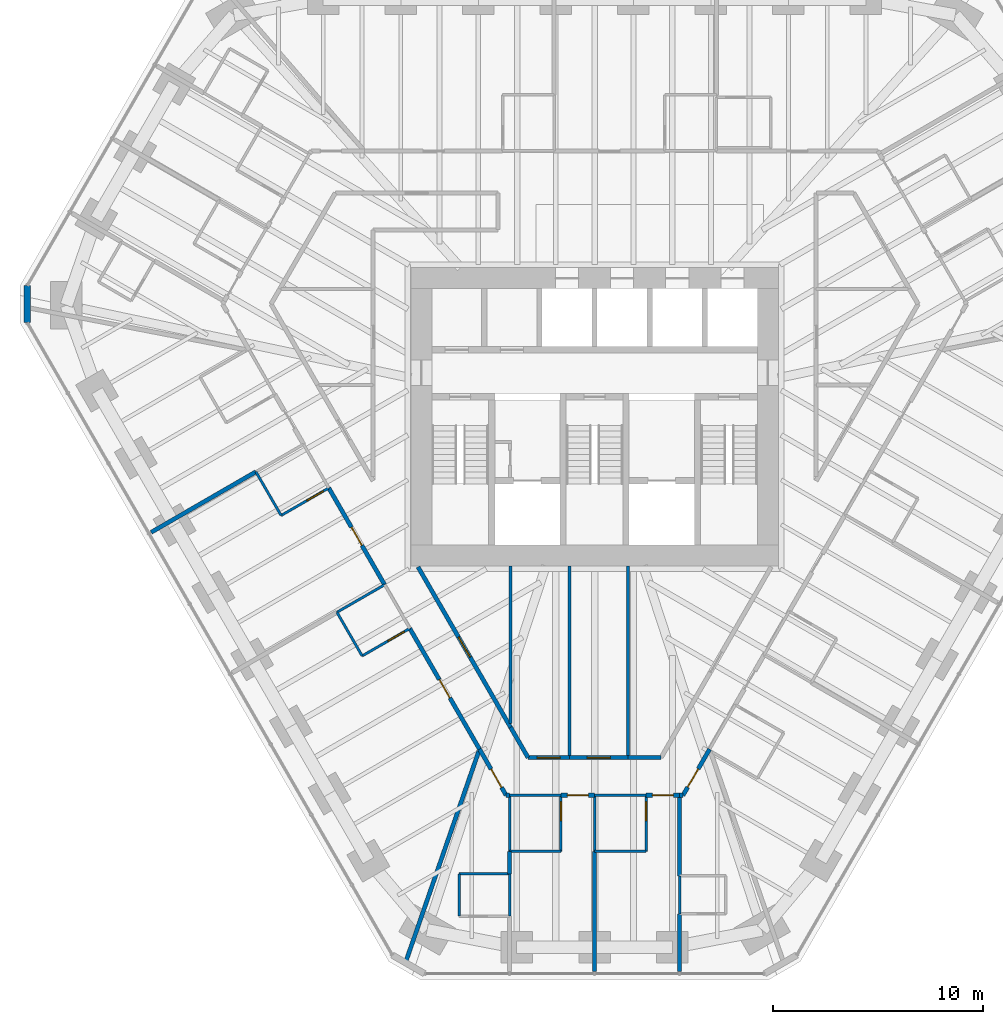
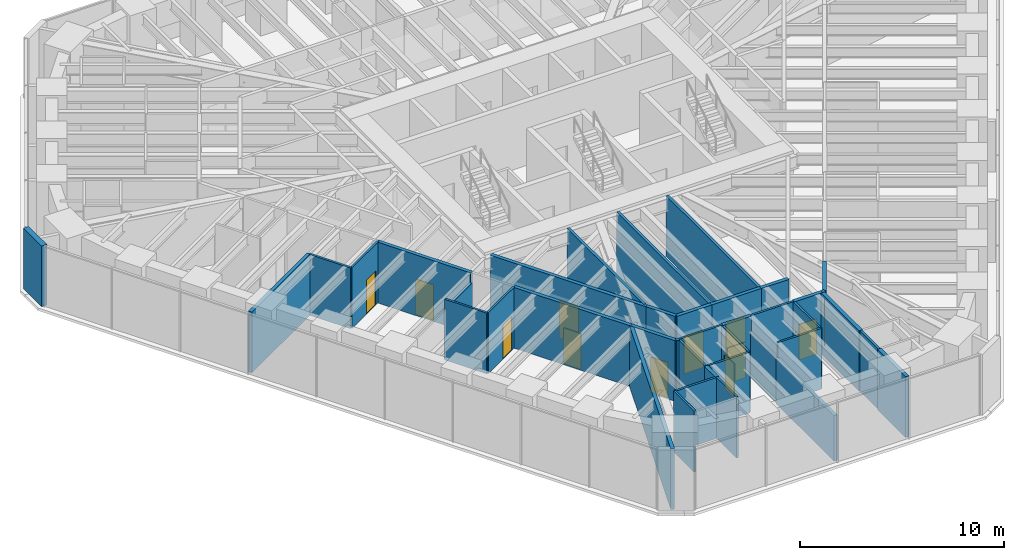
# One storey, part 11 of 17: 40 walls, 13 doors, 13 openings.
"""IFC4 building model written with IfcOpenShell, lengths in metres."""

from ifc_helpers import new_model, si_unit, direction, frame, frame_2d, origin, place, context, subcontext, project, spatial, rectangle, extrude, material, layer, layer_set, type_object, element, fill, save


model = new_model("IFC4")

# Units and contexts
model_context = context("Model", 3, precision=1e-05, world=origin(), true_north=direction((0.0, 1.0)))
body_context = subcontext(model_context, "Body", "Model", "MODEL_VIEW")
ifc_project = project(units=[si_unit("LENGTHUNIT", "METRE"), si_unit("AREAUNIT", "SQUARE_METRE"), si_unit("VOLUMEUNIT", "CUBIC_METRE"), si_unit("PLANEANGLEUNIT", "RADIAN"), si_unit("MASSUNIT", "GRAM", prefix="KILO")], contexts=[model_context])

# Site, building, storey
site_placement = place(None, origin())
site = spatial("IfcSite", under=ifc_project, at=site_placement, CompositionType="ELEMENT")
building_placement = place(site_placement, origin())
building = spatial("IfcBuilding", under=site, at=building_placement, Name="Sandreach Pilgrim Tower", CompositionType="ELEMENT")
storey_placement = place(building_placement, frame((0.0, 0.0, 194.60009765625)))
storey = spatial("IfcBuildingStorey", under=building, at=storey_placement, Name="L48", CompositionType="ELEMENT", Elevation=194.60009765625)

# Walls
ifc_material_1 = material(Name="Gypsum board on steel studs", Category="steel")
ifc_layer_1 = layer(ifc_material_1, 0.14990234375)
ifc_layer_set_1 = layer_set([ifc_layer_1], Name="Back of house wall 150")
wall_type_1 = type_object("IfcWallType", Name="Back of house wall 150", PredefinedType="PARTITIONING", material=ifc_layer_set_1)
wall_1_placement = place(storey_placement, frame((-4.0, -7.10009765625, 0.0), z_axis=(0.0, 0.0, 1.0), x_axis=(0.0, -1.0, 0.0)))
element("IfcWall", 1, at=wall_1_placement, inside=storey, type_object=wall_type_1, Name="Back of house wall L48-074", PredefinedType="PARTITIONING", context=body_context, shape_type="SweptSolid", body=[
    extrude(rectangle(XDim=7.514892578125, YDim=0.14990234375, at=frame_2d((3.75732421875, 0.0))), origin(), (0.0, 0.0, 1.0), 3.639892578125),
])
for number, where, z_axis, x_axis, name in (
    (2, (-1.199951171875, -7.10009765625, 0.0), (0.0, 0.0, 1.0), (0.0, -1.0, 0.0), "Back of house wall L48-083"),
    (3, (1.60009765625, -7.10009765625, 0.0), (0.0, 0.0, 1.0), (0.0, -1.0, 0.0), "Back of house wall L48-089"),
):
    element("IfcWall", number, at=place(storey_placement, frame(where, z_axis=z_axis, x_axis=x_axis)), inside=storey, type_object=wall_type_1, Name=name, PredefinedType="PARTITIONING", context=body_context, shape_type="SweptSolid", body=[
        extrude(rectangle(XDim=9.1298828125, YDim=0.14990234375, at=frame_2d((4.56494140625, 0.0))), origin(), (0.0, 0.0, 1.0), 3.639892578125),
    ])
ifc_material_2 = material(Name="Moisture-resistant gypsum board on steel studs", Category="steel")
ifc_layer_2 = layer(ifc_material_2, 0.1201171875)
ifc_layer_set_2 = layer_set([ifc_layer_2], Name="Bathroom partition 120")
wall_type_2 = type_object("IfcWallType", Name="Bathroom partition 120", PredefinedType="PARTITIONING", material=ifc_layer_set_2)
wall_2_placement = place(storey_placement, frame((-16.1298828125, -2.6201171875, 0.0), z_axis=(0.0, 0.0, 1.0), x_axis=(0.499737123639, -0.866177122335, 0.0)))
element("IfcWall", 4, at=wall_2_placement, inside=storey, type_object=wall_type_2, Name="Bathroom partition L48-028", PredefinedType="PARTITIONING", context=body_context, shape_type="SweptSolid", body=[
    extrude(rectangle(XDim=2.401123046875, YDim=0.1201171875, at=frame_2d((1.20068359375, 0.0))), origin(), (0.0, 0.0, 1.0), 3.639892578125),
])

# Wall, opening, door
wall_3_placement = place(storey_placement, frame((-14.929931640625, -4.699951171875, 0.0), z_axis=(0.0, 0.0, 1.0), x_axis=(0.866114241029, 0.499846097802, 0.0)))
wall_3 = element("IfcWall", 5, at=wall_3_placement, inside=storey, type_object=wall_type_2, Name="Bathroom partition L48-038", PredefinedType="PARTITIONING", context=body_context, shape_type="SweptSolid", body=[
    extrude(rectangle(XDim=2.620849609375, YDim=0.1201171875, at=frame_2d((1.310546875, 0.0))), origin(), (0.0, 0.0, 1.0), 3.639892578125),
])
opening_1_placement = place(wall_3_placement, frame((1.4208984375, 0.0, 0.0)))
opening_1 = element("IfcOpeningElement", 6, at=opening_1_placement, cuts=wall_3, Name="Opening D09-15B", PredefinedType="OPENING", context=body_context, shape_type="SweptSolid", body=[
    extrude(rectangle(XDim=0.89990234375, YDim=2.030029296875, at=frame_2d((0.449951171875, 1.01513671875))), frame((0.0, 0.06005859375, 0.0), z_axis=(0.0, -1.0, 0.0), x_axis=(1.0, 0.0, 0.0)), (0.0, 0.0, 1.0), 0.1201171875),
])
ifc_material_3 = material(Name="Timber door, steel frame", Category="steel")
door_type_1 = type_object("IfcDoorType", Name="Bathroom door", OperationType="SINGLE_SWING_LEFT", PredefinedType="DOOR", material=ifc_material_3)
door_1_placement = place(opening_1_placement, origin())
door_1 = element("IfcDoor", 7, at=door_1_placement, inside=storey, type_object=door_type_1, Name="Door 4815B", OperationType="SINGLE_SWING_RIGHT", OverallHeight=2.030029296875, OverallWidth=0.89990234375, PredefinedType="DOOR", context=body_context, shape_type="SweptSolid", body=[
    extrude(rectangle(XDim=0.89990234375, YDim=2.030029296875, at=frame_2d((0.449951171875, 1.01513671875))), frame((0.0, 0.02490234375, 0.0), z_axis=(0.0, -1.0, 0.0), x_axis=(1.0, 0.0, 0.0)), (0.0, 0.0, 1.0), 0.050048828125),
])
fill(opening_1, door_1)

# Walls
wall_4_placement = place(storey_placement, frame((-12.27001953125, -9.31005859375, 0.0), z_axis=(0.0, 0.0, 1.0), x_axis=(0.499737123639, -0.866177122335, 0.0)))
element("IfcWall", 8, at=wall_4_placement, inside=storey, type_object=wall_type_2, Name="Bathroom partition L48-045", PredefinedType="PARTITIONING", context=body_context, shape_type="SweptSolid", body=[
    extrude(rectangle(XDim=2.401123046875, YDim=0.1201171875, at=frame_2d((1.20068359375, 0.0))), origin(), (0.0, 0.0, 1.0), 3.639892578125),
])
wall_5_placement = place(storey_placement, frame((-12.27001953125, -9.31005859375, 0.0), z_axis=(0.0, 0.0, 1.0), x_axis=(0.866114241029, 0.499846097802, 0.0)))
element("IfcWall", 9, at=wall_5_placement, inside=storey, type_object=wall_type_2, Name="Bathroom partition L48-046", PredefinedType="PARTITIONING", context=body_context, shape_type="SweptSolid", body=[
    extrude(rectangle(XDim=2.620849609375, YDim=0.1201171875, at=frame_2d((1.310546875, 0.0))), origin(), (0.0, 0.0, 1.0), 3.037841796875),
])

# Wall, opening, door
wall_6_placement = place(storey_placement, frame((-11.070068359375, -11.389892578125, 0.0), z_axis=(0.0, 0.0, 1.0), x_axis=(0.866154567199, 0.49977621564, 0.0)))
wall_6 = element("IfcWall", 10, at=wall_6_placement, inside=storey, type_object=wall_type_2, Name="Bathroom partition L48-047", PredefinedType="PARTITIONING", context=body_context, shape_type="SweptSolid", body=[
    extrude(rectangle(XDim=2.620849609375, YDim=0.1201171875, at=frame_2d((1.310546875, 0.0))), origin(), (0.0, 0.0, 1.0), 3.639892578125),
])
opening_2_placement = place(wall_6_placement, frame((1.4208984375, 0.0, 0.0)))
opening_2 = element("IfcOpeningElement", 11, at=opening_2_placement, cuts=wall_6, Name="Opening D09-14B", PredefinedType="OPENING", context=body_context, shape_type="SweptSolid", body=[
    extrude(rectangle(XDim=0.89990234375, YDim=2.030029296875, at=frame_2d((0.449951171875, 1.01513671875))), frame((0.0, 0.06005859375, 0.0), z_axis=(0.0, -1.0, 0.0), x_axis=(1.0, 0.0, 0.0)), (0.0, 0.0, 1.0), 0.1201171875),
])
door_2_placement = place(opening_2_placement, origin())
door_2 = element("IfcDoor", 12, at=door_2_placement, inside=storey, type_object=door_type_1, Name="Door 4814B", OperationType="SINGLE_SWING_RIGHT", OverallHeight=2.030029296875, OverallWidth=0.89990234375, PredefinedType="DOOR", context=body_context, shape_type="SweptSolid", body=[
    extrude(rectangle(XDim=0.89990234375, YDim=2.030029296875, at=frame_2d((0.449951171875, 1.01513671875))), frame((0.0, 0.02490234375, 0.0), z_axis=(0.0, -1.0, 0.0), x_axis=(1.0, 0.0, 0.0)), (0.0, 0.0, 1.0), 0.050048828125),
])
fill(opening_2, door_2)

# Walls
for number, where, z_axis, x_axis, name in (
    (13, (-6.449951171875, -21.77001953125, 0.0), (0.0, 0.0, 1.0), (0.0, -1.0, 0.0), "Bathroom partition L48-059"),
    (14, (-4.050048828125, -23.780029296875, 0.0), (0.0, 0.0, 1.0), (0.0, 1.0, 0.0), "Bathroom partition L48-067"),
):
    element("IfcWall", number, at=place(storey_placement, frame(where, z_axis=z_axis, x_axis=x_axis)), inside=storey, type_object=wall_type_2, Name=name, PredefinedType="PARTITIONING", context=body_context, shape_type="SweptSolid", body=[
        extrude(rectangle(XDim=2.010009765625, YDim=0.1201171875, at=frame_2d((1.0048828125, 0.0))), origin(), (0.0, 0.0, 1.0), 3.639892578125),
    ])
wall_7_placement = place(storey_placement, frame((-4.050048828125, -21.77001953125, 0.0), z_axis=(0.0, 0.0, 1.0), x_axis=(-1.0, 0.0, 0.0)))
element("IfcWall", 15, at=wall_7_placement, inside=storey, type_object=wall_type_2, Name="Bathroom partition L48-068", PredefinedType="PARTITIONING", context=body_context, shape_type="SweptSolid", body=[
    extrude(rectangle(XDim=2.39990234375, YDim=0.1201171875, at=frame_2d((1.199951171875, 0.0))), origin(), (0.0, 0.0, 1.0), 3.639892578125),
])
wall_8_placement = place(storey_placement, frame((-4.050048828125, -20.699951171875, 0.0), z_axis=(0.0, 0.0, 1.0), x_axis=(0.0, 1.0, 0.0)))
element("IfcWall", 16, at=wall_8_placement, inside=storey, type_object=wall_type_2, Name="Bathroom partition L48-070", PredefinedType="PARTITIONING", context=body_context, shape_type="SweptSolid", body=[
    extrude(rectangle(XDim=2.669921875, YDim=0.1201171875, at=frame_2d((1.3349609375, 0.0))), origin(), (0.0, 0.0, 1.0), 3.639892578125),
])
for number, where, z_axis, x_axis, name in (
    (17, (-4.050048828125, -20.699951171875, 0.0), (0.0, 0.0, 1.0), (1.0, 0.0, 0.0), "Bathroom partition L48-071"),
    (18, (-4.050048828125, -18.030029296875, 0.0), (0.0, 0.0, 1.0), (1.0, 0.0, 0.0), "Bathroom partition L48-072"),
):
    element("IfcWall", number, at=place(storey_placement, frame(where, z_axis=z_axis, x_axis=x_axis)), inside=storey, type_object=wall_type_2, Name=name, PredefinedType="PARTITIONING", context=body_context, shape_type="SweptSolid", body=[
        extrude(rectangle(XDim=2.449951171875, YDim=0.1201171875, at=frame_2d((1.22509765625, 0.0))), origin(), (0.0, 0.0, 1.0), 3.639892578125),
    ])

# Wall, opening, door
wall_9_placement = place(storey_placement, frame((-1.60009765625, -20.699951171875, 0.0), z_axis=(0.0, 0.0, 1.0), x_axis=(0.0, 1.0, 0.0)))
wall_9 = element("IfcWall", 19, at=wall_9_placement, inside=storey, type_object=wall_type_2, Name="Bathroom partition L48-080", PredefinedType="PARTITIONING", context=body_context, shape_type="SweptSolid", body=[
    extrude(rectangle(XDim=2.669921875, YDim=0.1201171875, at=frame_2d((1.3349609375, 0.0))), origin(), (0.0, 0.0, 1.0), 3.639892578125),
])
opening_3_placement = place(wall_9_placement, frame((1.469970703125, 0.0, 0.0)))
opening_3 = element("IfcOpeningElement", 20, at=opening_3_placement, cuts=wall_9, Name="Opening D09-12B", PredefinedType="OPENING", context=body_context, shape_type="SweptSolid", body=[
    extrude(rectangle(XDim=0.89990234375, YDim=2.030029296875, at=frame_2d((0.449951171875, 1.01513671875))), frame((0.0, 0.06005859375, 0.0), z_axis=(0.0, -1.0, 0.0), x_axis=(1.0, 0.0, 0.0)), (0.0, 0.0, 1.0), 0.1201171875),
])
door_3_placement = place(opening_3_placement, origin())
door_3 = element("IfcDoor", 21, at=door_3_placement, inside=storey, type_object=door_type_1, Name="Door 4812B", OperationType="SINGLE_SWING_RIGHT", OverallHeight=2.030029296875, OverallWidth=0.89990234375, PredefinedType="DOOR", context=body_context, shape_type="SweptSolid", body=[
    extrude(rectangle(XDim=0.89990234375, YDim=2.030029296875, at=frame_2d((0.449951171875, 1.01513671875))), frame((0.0, 0.02490234375, 0.0), z_axis=(0.0, -1.0, 0.0), x_axis=(1.0, 0.0, 0.0)), (0.0, 0.0, 1.0), 0.050048828125),
])
fill(opening_3, door_3)

# Walls
wall_10_placement = place(storey_placement, frame((0.0, -20.699951171875, 0.0), z_axis=(0.0, 0.0, 1.0), x_axis=(0.0, 1.0, 0.0)))
element("IfcWall", 22, at=wall_10_placement, inside=storey, type_object=wall_type_2, Name="Bathroom partition L48-085", PredefinedType="PARTITIONING", context=body_context, shape_type="SweptSolid", body=[
    extrude(rectangle(XDim=2.669921875, YDim=0.1201171875, at=frame_2d((1.3349609375, 0.0))), origin(), (0.0, 0.0, 1.0), 2.7255859375),
])
for number, where, z_axis, x_axis, name in (
    (23, (0.0, -20.699951171875, 0.0), (0.0, 0.0, 1.0), (1.0, 0.0, 0.0), "Bathroom partition L48-086"),
    (24, (0.0, -18.030029296875, 0.0), (0.0, 0.0, 1.0), (1.0, 0.0, 0.0), "Bathroom partition L48-087"),
):
    element("IfcWall", number, at=place(storey_placement, frame(where, z_axis=z_axis, x_axis=x_axis)), inside=storey, type_object=wall_type_2, Name=name, PredefinedType="PARTITIONING", context=body_context, shape_type="SweptSolid", body=[
        extrude(rectangle(XDim=2.449951171875, YDim=0.1201171875, at=frame_2d((1.22509765625, 0.0))), origin(), (0.0, 0.0, 1.0), 3.639892578125),
    ])

# Wall, opening, door
wall_11_placement = place(storey_placement, frame((2.449951171875, -20.699951171875, 0.0), z_axis=(0.0, 0.0, 1.0), x_axis=(0.0, 1.0, 0.0)))
wall_11 = element("IfcWall", 25, at=wall_11_placement, inside=storey, type_object=wall_type_2, Name="Bathroom partition L48-090", PredefinedType="PARTITIONING", context=body_context, shape_type="SweptSolid", body=[
    extrude(rectangle(XDim=2.669921875, YDim=0.1201171875, at=frame_2d((1.3349609375, 0.0))), origin(), (0.0, 0.0, 1.0), 3.639892578125),
])
opening_4_placement = place(wall_11_placement, frame((1.469970703125, 0.0, 0.0)))
opening_4 = element("IfcOpeningElement", 26, at=opening_4_placement, cuts=wall_11, Name="Opening D09-11B", PredefinedType="OPENING", context=body_context, shape_type="SweptSolid", body=[
    extrude(rectangle(XDim=0.89990234375, YDim=2.030029296875, at=frame_2d((0.449951171875, 1.01513671875))), frame((0.0, 0.06005859375, 0.0), z_axis=(0.0, -1.0, 0.0), x_axis=(1.0, 0.0, 0.0)), (0.0, 0.0, 1.0), 0.1201171875),
])
door_4_placement = place(opening_4_placement, origin())
door_4 = element("IfcDoor", 27, at=door_4_placement, inside=storey, type_object=door_type_1, Name="Door 4811B", OperationType="SINGLE_SWING_RIGHT", OverallHeight=2.030029296875, OverallWidth=0.89990234375, PredefinedType="DOOR", context=body_context, shape_type="SweptSolid", body=[
    extrude(rectangle(XDim=0.89990234375, YDim=2.030029296875, at=frame_2d((0.449951171875, 1.01513671875))), frame((0.0, 0.02490234375, 0.0), z_axis=(0.0, -1.0, 0.0), x_axis=(1.0, 0.0, 0.0)), (0.0, 0.0, 1.0), 0.050048828125),
])
fill(opening_4, door_4)

# Wall
wall_12_placement = place(storey_placement, frame((4.050048828125, -23.679931640625, 0.0), z_axis=(0.0, 0.0, 1.0), x_axis=(0.0, 1.0, 0.0)))
element("IfcWall", 28, at=wall_12_placement, inside=storey, type_object=wall_type_2, Name="Bathroom partition L48-096", PredefinedType="PARTITIONING", context=body_context, shape_type="SweptSolid", body=[
    extrude(rectangle(XDim=1.809814453125, YDim=0.1201171875, at=frame_2d((0.90478515625, 0.0))), origin(), (0.0, 0.0, 1.0), 3.639892578125),
])

# Wall, opening, door
ifc_material_4 = material(Name="Gypsum board on steel studs, two layers each side", Category="steel")
ifc_layer_3 = layer(ifc_material_4, 0.199951171875)
ifc_layer_set_3 = layer_set([ifc_layer_3], Name="Corridor wall 200")
wall_type_3 = type_object("IfcWallType", Name="Corridor wall 200", PredefinedType="PARTITIONING", material=ifc_layer_set_3)
wall_13_placement = place(storey_placement, frame((-12.659912109375, -3.389892578125, 0.0), z_axis=(0.0, 0.0, 1.0), x_axis=(0.499755544815, -0.866166494057, 0.0)))
wall_13 = element("IfcWall", 29, at=wall_13_placement, inside=storey, type_object=wall_type_3, Name="Corridor wall L48-043", PredefinedType="PARTITIONING", context=body_context, shape_type="SweptSolid", body=[
    extrude(rectangle(XDim=5.322509765625, YDim=0.199951171875, at=frame_2d((2.6611328125, 0.0))), origin(), (0.0, 0.0, 1.0), 3.639892578125),
])
opening_5_placement = place(wall_13_placement, frame((2.1611328125, 0.0, 0.0)))
opening_5 = element("IfcOpeningElement", 30, at=opening_5_placement, cuts=wall_13, Name="Opening D10-15", PredefinedType="OPENING", context=body_context, shape_type="SweptSolid", body=[
    extrude(rectangle(XDim=1.0, YDim=2.1298828125, at=frame_2d((0.5, 1.06494140625))), frame((0.0, 0.10009765625, 0.0), z_axis=(0.0, -1.0, 0.0), x_axis=(1.0, 0.0, 0.0)), (0.0, 0.0, 1.0), 0.199951171875),
])
ifc_material_5 = material(Name="Steel door and frame", Category="steel")
door_type_2 = type_object("IfcDoorType", Name="Guest room entry door", OperationType="SINGLE_SWING_LEFT", PredefinedType="DOOR", material=ifc_material_5)
door_5_placement = place(opening_5_placement, origin())
door_5 = element("IfcDoor", 31, at=door_5_placement, inside=storey, type_object=door_type_2, Name="Door 4815", OperationType="SINGLE_SWING_LEFT", OverallHeight=2.1298828125, OverallWidth=1.0, PredefinedType="DOOR", context=body_context, shape_type="SweptSolid", body=[
    extrude(rectangle(XDim=1.0, YDim=2.1298828125, at=frame_2d((0.5, 1.06494140625))), frame((0.0, 0.02490234375, 0.0), z_axis=(0.0, -1.0, 0.0), x_axis=(1.0, 0.0, 0.0)), (0.0, 0.0, 1.0), 0.050048828125),
])
fill(opening_5, door_5)

wall_14_placement = place(storey_placement, frame((-8.802001953125, -10.081298828125, 0.0), z_axis=(0.0, 0.0, 1.0), x_axis=(0.500334569781, -0.865832153643, 0.0)))
wall_14 = element("IfcWall", 32, at=wall_14_placement, inside=storey, type_object=wall_type_3, Name="Corridor wall L48-057", PredefinedType="PARTITIONING", context=body_context, shape_type="SweptSolid", body=[
    extrude(rectangle(XDim=6.6396484375, YDim=0.199951171875, at=frame_2d((3.31982421875, 0.0))), origin(), (0.0, 0.0, 1.0), 3.639892578125),
])
opening_6_placement = place(wall_14_placement, frame((2.81982421875, 0.0, 0.0)))
opening_6 = element("IfcOpeningElement", 33, at=opening_6_placement, cuts=wall_14, Name="Opening D10-14", PredefinedType="OPENING", context=body_context, shape_type="SweptSolid", body=[
    extrude(rectangle(XDim=1.0, YDim=2.1298828125, at=frame_2d((0.5, 1.06494140625))), frame((0.0, 0.10009765625, 0.0), z_axis=(0.0, -1.0, 0.0), x_axis=(1.0, 0.0, 0.0)), (0.0, 0.0, 1.0), 0.199951171875),
])
door_6_placement = place(opening_6_placement, origin())
door_6 = element("IfcDoor", 34, at=door_6_placement, inside=storey, type_object=door_type_2, Name="Door 4814", OperationType="SINGLE_SWING_LEFT", OverallHeight=2.1298828125, OverallWidth=1.0, PredefinedType="DOOR", context=body_context, shape_type="SweptSolid", body=[
    extrude(rectangle(XDim=1.0, YDim=2.1298828125, at=frame_2d((0.5, 1.06494140625))), frame((0.0, 0.02490234375, 0.0), z_axis=(0.0, -1.0, 0.0), x_axis=(1.0, 0.0, 0.0)), (0.0, 0.0, 1.0), 0.050048828125),
])
fill(opening_6, door_6)

wall_15_placement = place(storey_placement, frame((-5.47998046875, -15.830078125, 0.0), z_axis=(0.0, 0.0, 1.0), x_axis=(0.499963722229, -0.866046347752, 0.0)))
wall_15 = element("IfcWall", 35, at=wall_15_placement, inside=storey, type_object=wall_type_3, Name="Corridor wall L48-060", PredefinedType="PARTITIONING", context=body_context, shape_type="SweptSolid", body=[
    extrude(rectangle(XDim=2.540283203125, YDim=0.199951171875, at=frame_2d((1.27001953125, 0.0))), origin(), (0.0, 0.0, 1.0), 3.639892578125),
])
opening_7_placement = place(wall_15_placement, frame((1.10009765625, 0.0, 0.0)))
opening_7 = element("IfcOpeningElement", 36, at=opening_7_placement, cuts=wall_15, Name="Opening D10-13", PredefinedType="OPENING", context=body_context, shape_type="SweptSolid", body=[
    extrude(rectangle(XDim=1.0, YDim=2.1298828125, at=frame_2d((0.5, 1.06494140625))), frame((0.0, 0.10009765625, 0.0), z_axis=(0.0, -1.0, 0.0), x_axis=(1.0, 0.0, 0.0)), (0.0, 0.0, 1.0), 0.199951171875),
])
door_7_placement = place(opening_7_placement, origin())
door_7 = element("IfcDoor", 37, at=door_7_placement, inside=storey, type_object=door_type_2, Name="Door 4813", OperationType="SINGLE_SWING_RIGHT", OverallHeight=2.1298828125, OverallWidth=1.0, PredefinedType="DOOR", context=body_context, shape_type="SweptSolid", body=[
    extrude(rectangle(XDim=1.0, YDim=2.1298828125, at=frame_2d((0.5, 1.06494140625))), frame((0.0, 0.02490234375, 0.0), z_axis=(0.0, -1.0, 0.0), x_axis=(1.0, 0.0, 0.0)), (0.0, 0.0, 1.0), 0.050048828125),
])
fill(opening_7, door_7)

# Wall
wall_16_placement = place(storey_placement, frame((-4.2099609375, -18.030029296875, 0.0), z_axis=(0.0, 0.0, 1.0), x_axis=(1.0, 0.0, 0.0)))
element("IfcWall", 38, at=wall_16_placement, inside=storey, type_object=wall_type_3, Name="Corridor wall L48-065", PredefinedType="PARTITIONING", context=body_context, shape_type="SweptSolid", body=[
    extrude(rectangle(XDim=0.159912109375, YDim=0.199951171875, at=frame_2d((0.080078125, 0.0))), origin(), (0.0, 0.0, 1.0), 3.639892578125),
])

# Wall, opening, door
wall_17_placement = place(storey_placement, frame((-4.0, -14.7900390625, 0.0), z_axis=(0.0, 0.0, 1.0), x_axis=(-0.499916512745, 0.866073599808, 0.0)))
wall_17 = element("IfcWall", 39, at=wall_17_placement, inside=storey, type_object=wall_type_3, Name="Corridor wall L48-073", PredefinedType="PARTITIONING", context=body_context, shape_type="SweptSolid", body=[
    extrude(rectangle(XDim=8.8212890625, YDim=0.199951171875, at=frame_2d((4.41064453125, 0.0))), origin(), (0.0, 0.0, 1.0), 3.639892578125),
])
opening_8_placement = place(wall_17_placement, frame((3.860595703125, 0.0, 0.0)))
opening_8 = element("IfcOpeningElement", 40, at=opening_8_placement, cuts=wall_17, Name="Opening D11H-S1", PredefinedType="OPENING", context=body_context, shape_type="SweptSolid", body=[
    extrude(rectangle(XDim=1.10009765625, YDim=2.199951171875, at=frame_2d((0.550048828125, 1.10009765625))), frame((0.0, 0.10009765625, 0.0), z_axis=(0.0, -1.0, 0.0), x_axis=(1.0, 0.0, 0.0)), (0.0, 0.0, 1.0), 0.199951171875),
])
ifc_material_6 = material(Name="Steel door and frame", Category="steel")
door_type_3 = type_object("IfcDoorType", Name="Back of house door", OperationType="SINGLE_SWING_LEFT", PredefinedType="DOOR", material=ifc_material_6)
door_8_placement = place(opening_8_placement, origin())
door_8 = element("IfcDoor", 41, at=door_8_placement, inside=storey, type_object=door_type_3, Name="Door 48S1", OperationType="SINGLE_SWING_LEFT", OverallHeight=2.199951171875, OverallWidth=1.10009765625, PredefinedType="DOOR", context=body_context, shape_type="SweptSolid", body=[
    extrude(rectangle(XDim=1.10009765625, YDim=2.199951171875, at=frame_2d((0.550048828125, 1.10009765625))), frame((0.0, 0.02490234375, 0.0), z_axis=(0.0, -1.0, 0.0), x_axis=(1.0, 0.0, 0.0)), (0.0, 0.0, 1.0), 0.050048828125),
])
fill(opening_8, door_8)

# Wall
wall_18_placement = place(storey_placement, frame((-3.169921875, -16.22998046875, 0.0), z_axis=(0.0, 0.0, 1.0), x_axis=(-0.499425709803, 0.866356716594, 0.0)))
element("IfcWall", 42, at=wall_18_placement, inside=storey, type_object=wall_type_3, Name="Corridor wall L48-075", PredefinedType="PARTITIONING", context=body_context, shape_type="SweptSolid", body=[
    extrude(rectangle(XDim=1.662109375, YDim=0.199951171875, at=frame_2d((0.8310546875, 0.0))), origin(), (0.0, 0.0, 1.0), 3.639892578125),
])

# Wall, opening, door
wall_19_placement = place(storey_placement, frame((-1.60009765625, -18.030029296875, 0.0), z_axis=(0.0, 0.0, 1.0), x_axis=(1.0, 0.0, 0.0)))
wall_19 = element("IfcWall", 43, at=wall_19_placement, inside=storey, type_object=wall_type_3, Name="Corridor wall L48-081", PredefinedType="PARTITIONING", context=body_context, shape_type="SweptSolid", body=[
    extrude(rectangle(XDim=1.60009765625, YDim=0.199951171875, at=frame_2d((0.800048828125, 0.0))), origin(), (0.0, 0.0, 1.0), 3.639892578125),
])
opening_9_placement = place(wall_19_placement, frame((0.300048828125, 0.0, 0.0)))
opening_9 = element("IfcOpeningElement", 44, at=opening_9_placement, cuts=wall_19, Name="Opening D10-12", PredefinedType="OPENING", context=body_context, shape_type="SweptSolid", body=[
    extrude(rectangle(XDim=1.0, YDim=2.1298828125, at=frame_2d((0.5, 1.06494140625))), frame((0.0, 0.10009765625, 0.0), z_axis=(0.0, -1.0, 0.0), x_axis=(1.0, 0.0, 0.0)), (0.0, 0.0, 1.0), 0.199951171875),
])
door_9_placement = place(opening_9_placement, origin())
door_9 = element("IfcDoor", 45, at=door_9_placement, inside=storey, type_object=door_type_2, Name="Door 4812", OperationType="SINGLE_SWING_LEFT", OverallHeight=2.1298828125, OverallWidth=1.0, PredefinedType="DOOR", context=body_context, shape_type="SweptSolid", body=[
    extrude(rectangle(XDim=1.0, YDim=2.1298828125, at=frame_2d((0.5, 1.06494140625))), frame((0.0, 0.02490234375, 0.0), z_axis=(0.0, -1.0, 0.0), x_axis=(1.0, 0.0, 0.0)), (0.0, 0.0, 1.0), 0.050048828125),
])
fill(opening_9, door_9)

wall_20_placement = place(storey_placement, frame((-1.199951171875, -16.22998046875, 0.0), z_axis=(0.0, 0.0, 1.0), x_axis=(-1.0, 0.0, 0.0)))
wall_20 = element("IfcWall", 46, at=wall_20_placement, inside=storey, type_object=wall_type_3, Name="Corridor wall L48-082", PredefinedType="PARTITIONING", context=body_context, shape_type="SweptSolid", body=[
    extrude(rectangle(XDim=1.969970703125, YDim=0.199951171875, at=frame_2d((0.98486328125, 0.0))), origin(), (0.0, 0.0, 1.0), 3.639892578125),
])
opening_10_placement = place(wall_20_placement, frame((0.43505859375, 0.0, 0.0)))
opening_10 = element("IfcOpeningElement", 47, at=opening_10_placement, cuts=wall_20, Name="Opening D11H-S2", PredefinedType="OPENING", context=body_context, shape_type="SweptSolid", body=[
    extrude(rectangle(XDim=1.10009765625, YDim=2.199951171875, at=frame_2d((0.550048828125, 1.10009765625))), frame((0.0, 0.10009765625, 0.0), z_axis=(0.0, -1.0, 0.0), x_axis=(1.0, 0.0, 0.0)), (0.0, 0.0, 1.0), 0.199951171875),
])
door_10_placement = place(opening_10_placement, origin())
door_10 = element("IfcDoor", 48, at=door_10_placement, inside=storey, type_object=door_type_3, Name="Door 48S2", OperationType="SINGLE_SWING_LEFT", OverallHeight=2.199951171875, OverallWidth=1.10009765625, PredefinedType="DOOR", context=body_context, shape_type="SweptSolid", body=[
    extrude(rectangle(XDim=1.10009765625, YDim=2.199951171875, at=frame_2d((0.550048828125, 1.10009765625))), frame((0.0, 0.02490234375, 0.0), z_axis=(0.0, -1.0, 0.0), x_axis=(1.0, 0.0, 0.0)), (0.0, 0.0, 1.0), 0.050048828125),
])
fill(opening_10, door_10)

wall_21_placement = place(storey_placement, frame((1.60009765625, -16.22998046875, 0.0), z_axis=(0.0, 0.0, 1.0), x_axis=(-1.0, 0.0, 0.0)))
wall_21 = element("IfcWall", 49, at=wall_21_placement, inside=storey, type_object=wall_type_3, Name="Corridor wall L48-088", PredefinedType="PARTITIONING", context=body_context, shape_type="SweptSolid", body=[
    extrude(rectangle(XDim=2.800048828125, YDim=0.199951171875, at=frame_2d((1.39990234375, 0.0))), origin(), (0.0, 0.0, 1.0), 3.639892578125),
])
opening_11_placement = place(wall_21_placement, frame((0.85009765625, 0.0, 0.0)))
opening_11 = element("IfcOpeningElement", 50, at=opening_11_placement, cuts=wall_21, Name="Opening D11H-S3", PredefinedType="OPENING", context=body_context, shape_type="SweptSolid", body=[
    extrude(rectangle(XDim=1.10009765625, YDim=2.199951171875, at=frame_2d((0.550048828125, 1.10009765625))), frame((0.0, 0.10009765625, 0.0), z_axis=(0.0, -1.0, 0.0), x_axis=(1.0, 0.0, 0.0)), (0.0, 0.0, 1.0), 0.199951171875),
])
door_11_placement = place(opening_11_placement, origin())
door_11 = element("IfcDoor", 51, at=door_11_placement, inside=storey, type_object=door_type_3, Name="Door 48S3", OperationType="SINGLE_SWING_LEFT", OverallHeight=2.199951171875, OverallWidth=1.10009765625, PredefinedType="DOOR", context=body_context, shape_type="SweptSolid", body=[
    extrude(rectangle(XDim=1.10009765625, YDim=2.199951171875, at=frame_2d((0.550048828125, 1.10009765625))), frame((0.0, 0.02490234375, 0.0), z_axis=(0.0, -1.0, 0.0), x_axis=(1.0, 0.0, 0.0)), (0.0, 0.0, 1.0), 0.050048828125),
])
fill(opening_11, door_11)

wall_22_placement = place(storey_placement, frame((2.449951171875, -18.030029296875, 0.0), z_axis=(0.0, 0.0, 1.0), x_axis=(1.0, 0.0, 0.0)))
wall_22 = element("IfcWall", 52, at=wall_22_placement, inside=storey, type_object=wall_type_3, Name="Corridor wall L48-091", PredefinedType="PARTITIONING", context=body_context, shape_type="SweptSolid", body=[
    extrude(rectangle(XDim=1.60009765625, YDim=0.199951171875, at=frame_2d((0.800048828125, 0.0))), origin(), (0.0, 0.0, 1.0), 3.639892578125),
])
opening_12_placement = place(wall_22_placement, frame((0.300048828125, 0.0, 0.0)))
opening_12 = element("IfcOpeningElement", 53, at=opening_12_placement, cuts=wall_22, Name="Opening D10-11", PredefinedType="OPENING", context=body_context, shape_type="SweptSolid", body=[
    extrude(rectangle(XDim=1.0, YDim=2.1298828125, at=frame_2d((0.5, 1.06494140625))), frame((0.0, 0.10009765625, 0.0), z_axis=(0.0, -1.0, 0.0), x_axis=(1.0, 0.0, 0.0)), (0.0, 0.0, 1.0), 0.199951171875),
])
door_12_placement = place(opening_12_placement, origin())
door_12 = element("IfcDoor", 54, at=door_12_placement, inside=storey, type_object=door_type_2, Name="Door 4811", OperationType="SINGLE_SWING_LEFT", OverallHeight=2.1298828125, OverallWidth=1.0, PredefinedType="DOOR", context=body_context, shape_type="SweptSolid", body=[
    extrude(rectangle(XDim=1.0, YDim=2.1298828125, at=frame_2d((0.5, 1.06494140625))), frame((0.0, 0.02490234375, 0.0), z_axis=(0.0, -1.0, 0.0), x_axis=(1.0, 0.0, 0.0)), (0.0, 0.0, 1.0), 0.050048828125),
])
fill(opening_12, door_12)

# Walls
wall_23_placement = place(storey_placement, frame((3.169921875, -16.22998046875, 0.0), z_axis=(0.0, 0.0, 1.0), x_axis=(-1.0, 0.0, 0.0)))
element("IfcWall", 55, at=wall_23_placement, inside=storey, type_object=wall_type_3, Name="Corridor wall L48-092", PredefinedType="PARTITIONING", context=body_context, shape_type="SweptSolid", body=[
    extrude(rectangle(XDim=1.56982421875, YDim=0.199951171875, at=frame_2d((0.784912109375, 0.0))), origin(), (0.0, 0.0, 1.0), 3.639892578125),
])
wall_24_placement = place(storey_placement, frame((4.050048828125, -18.030029296875, 0.0), z_axis=(0.0, 0.0, 1.0), x_axis=(1.0, 0.0, 0.0)))
element("IfcWall", 56, at=wall_24_placement, inside=storey, type_object=wall_type_3, Name="Corridor wall L48-099", PredefinedType="PARTITIONING", context=body_context, shape_type="SweptSolid", body=[
    extrude(rectangle(XDim=0.159912109375, YDim=0.199951171875, at=frame_2d((0.080078125, 0.0))), origin(), (0.0, 0.0, 1.0), 3.639892578125),
])

# Wall, opening, door
wall_25_placement = place(storey_placement, frame((4.2099609375, -18.030029296875, 0.0), z_axis=(0.0, 0.0, 1.0), x_axis=(0.499963722229, 0.866046347752, 0.0)))
wall_25 = element("IfcWall", 57, at=wall_25_placement, inside=storey, type_object=wall_type_3, Name="Corridor wall L48-100", PredefinedType="PARTITIONING", context=body_context, shape_type="SweptSolid", body=[
    extrude(rectangle(XDim=2.540283203125, YDim=0.199951171875, at=frame_2d((1.27001953125, 0.0))), origin(), (0.0, 0.0, 1.0), 3.639892578125),
])
opening_13_placement = place(wall_25_placement, frame((0.449951171875, 0.0, 0.0)))
opening_13 = element("IfcOpeningElement", 58, at=opening_13_placement, cuts=wall_25, Name="Opening D10-10", PredefinedType="OPENING", context=body_context, shape_type="SweptSolid", body=[
    extrude(rectangle(XDim=1.0, YDim=2.1298828125, at=frame_2d((0.5, 1.06494140625))), frame((0.0, 0.10009765625, 0.0), z_axis=(0.0, -1.0, 0.0), x_axis=(1.0, 0.0, 0.0)), (0.0, 0.0, 1.0), 0.199951171875),
])
door_13_placement = place(opening_13_placement, origin())
door_13 = element("IfcDoor", 59, at=door_13_placement, inside=storey, type_object=door_type_2, Name="Door 4810", OperationType="SINGLE_SWING_LEFT", OverallHeight=2.1298828125, OverallWidth=1.0, PredefinedType="DOOR", context=body_context, shape_type="SweptSolid", body=[
    extrude(rectangle(XDim=1.0, YDim=2.1298828125, at=frame_2d((0.5, 1.06494140625))), frame((0.0, 0.02490234375, 0.0), z_axis=(0.0, -1.0, 0.0), x_axis=(1.0, 0.0, 0.0)), (0.0, 0.0, 1.0), 0.050048828125),
])
fill(opening_13, door_13)

# Walls
ifc_material_7 = material(Name="Double steel stud acoustic wall, gypsum board", Category="steel")
ifc_layer_4 = layer(ifc_material_7, 0.199951171875)
ifc_layer_set_4 = layer_set([ifc_layer_4], Name="Party wall 200")
wall_type_4 = type_object("IfcWallType", Name="Party wall 200", PredefinedType="PARTITIONING", material=ifc_layer_set_4)
wall_26_placement = place(storey_placement, frame((-21.115966796875, -5.5, 0.0), z_axis=(0.0, 0.0, 1.0), x_axis=(0.865919350456, 0.50018364478, 0.0)))
element("IfcWall", 60, at=wall_26_placement, inside=storey, type_object=wall_type_4, Name="Party wall L48-008", PredefinedType="PARTITIONING", context=body_context, shape_type="SweptSolid", body=[
    extrude(rectangle(XDim=5.758056640625, YDim=0.199951171875, at=frame_2d((2.87890625, 0.0))), origin(), (0.0, 0.0, 1.0), 3.639892578125),
])
wall_27_placement = place(storey_placement, frame((-9.01025390625, -26.01171875, 0.0), z_axis=(0.0, 0.0, 1.0), x_axis=(0.327591414813, 0.944819488019, 0.0)))
element("IfcWall", 61, at=wall_27_placement, inside=storey, type_object=wall_type_4, Name="Party wall L48-056", PredefinedType="PARTITIONING", context=body_context, shape_type="SweptSolid", body=[
    extrude(rectangle(XDim=10.67138671875, YDim=0.199951171875, at=frame_2d((5.335693359375, 0.0))), origin(), (0.0, 0.0, 1.0), 3.639892578125),
])
wall_28_placement = place(storey_placement, frame((-4.050048828125, -21.77001953125, 0.0), z_axis=(0.0, 0.0, 1.0), x_axis=(0.0, 1.0, 0.0)))
element("IfcWall", 62, at=wall_28_placement, inside=storey, type_object=wall_type_4, Name="Party wall L48-069", PredefinedType="PARTITIONING", context=body_context, shape_type="SweptSolid", body=[
    extrude(rectangle(XDim=1.070068359375, YDim=0.199951171875, at=frame_2d((0.53515625, 0.0))), origin(), (0.0, 0.0, 1.0), 3.639892578125),
])
wall_29_placement = place(storey_placement, frame((0.0, -26.409912109375, 0.0), z_axis=(0.0, 0.0, 1.0), x_axis=(0.0, 1.0, 0.0)))
element("IfcWall", 63, at=wall_29_placement, inside=storey, type_object=wall_type_4, Name="Party wall L48-084", PredefinedType="PARTITIONING", context=body_context, shape_type="SweptSolid", body=[
    extrude(rectangle(XDim=5.7099609375, YDim=0.199951171875, at=frame_2d((2.85498046875, 0.0))), origin(), (0.0, 0.0, 1.0), 2.7255859375),
])
wall_30_placement = place(storey_placement, frame((4.050048828125, -26.409912109375, 0.0), z_axis=(0.0, 0.0, 1.0), x_axis=(0.0, 1.0, 0.0)))
element("IfcWall", 64, at=wall_30_placement, inside=storey, type_object=wall_type_4, Name="Party wall L48-095", PredefinedType="PARTITIONING", context=body_context, shape_type="SweptSolid", body=[
    extrude(rectangle(XDim=2.72998046875, YDim=0.199951171875, at=frame_2d((1.364990234375, 0.0))), origin(), (0.0, 0.0, 1.0), 3.639892578125),
])
wall_31_placement = place(storey_placement, frame((4.050048828125, -21.8701171875, 0.0), z_axis=(0.0, 0.0, 1.0), x_axis=(0.0, 1.0, 0.0)))
element("IfcWall", 65, at=wall_31_placement, inside=storey, type_object=wall_type_4, Name="Party wall L48-098", PredefinedType="PARTITIONING", context=body_context, shape_type="SweptSolid", body=[
    extrude(rectangle(XDim=3.830078125, YDim=0.199951171875, at=frame_2d((1.9150390625, 0.0))), origin(), (0.0, 0.0, 1.0), 3.639892578125),
])
ifc_material_8 = material(Name="Terracotta rainscreen on concrete", Category="masonry")
ifc_layer_5 = layer(ifc_material_8, 0.300048828125)
ifc_layer_set_5 = layer_set([ifc_layer_5], Name="Terracotta chamfer pier")
wall_type_5 = type_object("IfcWallType", Name="Terracotta chamfer pier", PredefinedType="SOLIDWALL", material=ifc_layer_set_5)
wall_32_placement = place(storey_placement, frame((-27.02001953125, 4.47998046875, 0.0), z_axis=(0.0, 0.0, 1.0), x_axis=(0.0, 1.0, 0.0)))
element("IfcWall", 66, at=wall_32_placement, inside=storey, type_object=wall_type_5, Name="Chamfer pier L48 SW", PredefinedType="SOLIDWALL", context=body_context, shape_type="SweptSolid", body=[
    extrude(rectangle(XDim=1.77001953125, YDim=0.300048828125, at=frame_2d((0.885009765625, 0.0))), origin(), (0.0, 0.0, 1.0), 3.639892578125),
])

save(model, "model.ifc")
